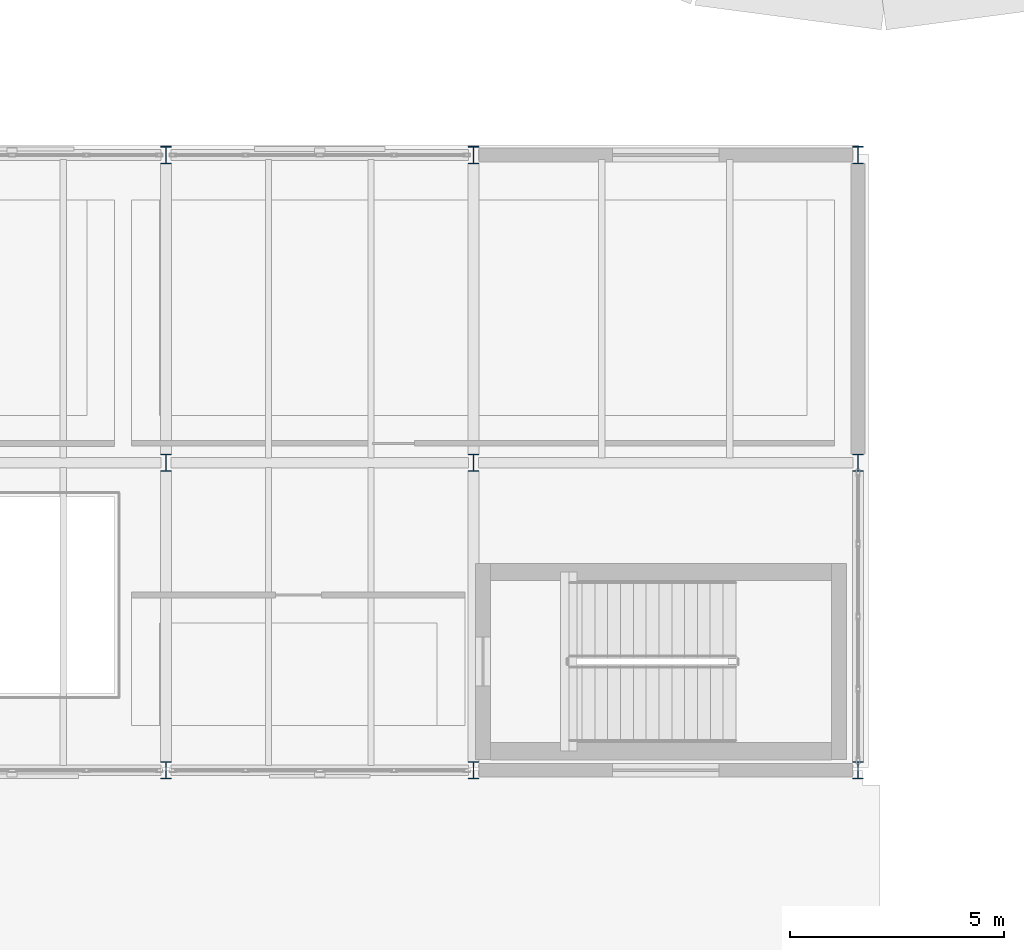
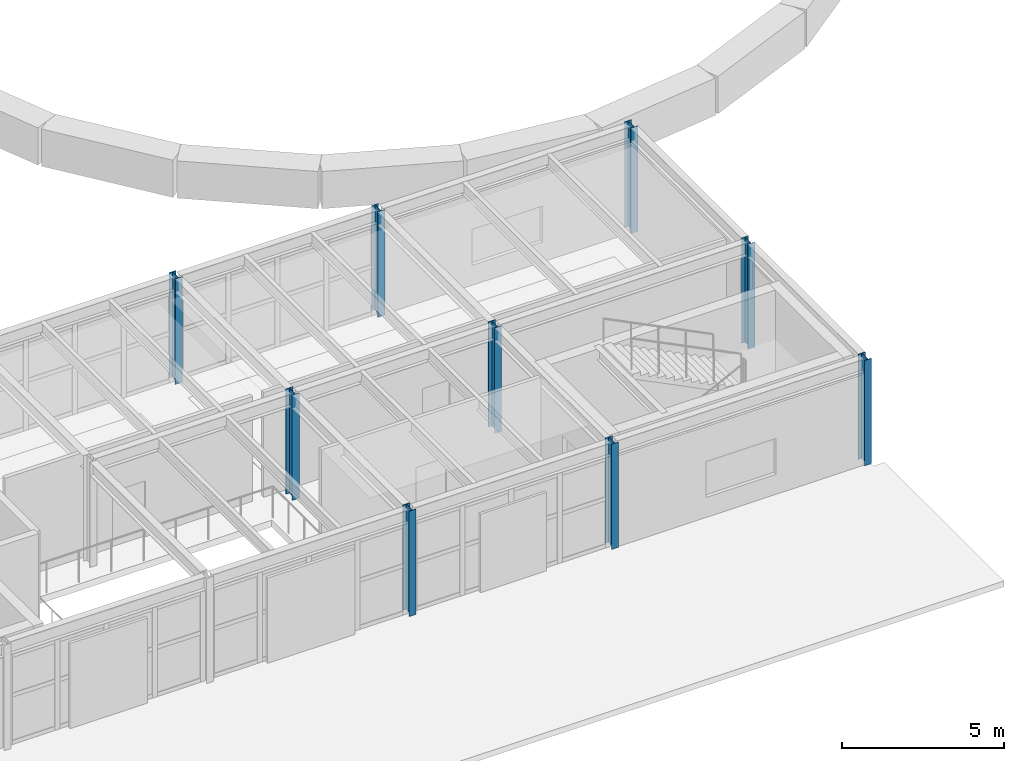
# One storey, part 5 of 37: 9 columns.
"""IFC4 building model written with IfcOpenShell, lengths in metres."""

from ifc_helpers import new_model, si_unit, direction, frame, origin, origin_2d, place, context, subcontext, project, spatial, i_section, extrude, material, material_profile, profile_set, type_object, element, save


model = new_model("IFC4")

# Units and contexts
model_context = context("Model", 3, precision=1e-05, world=origin(), true_north=direction((0.0, 1.0)))
body_context = subcontext(model_context, "Body", "Model", "MODEL_VIEW")
ifc_project = project(units=[si_unit("LENGTHUNIT", "METRE"), si_unit("AREAUNIT", "SQUARE_METRE"), si_unit("VOLUMEUNIT", "CUBIC_METRE"), si_unit("PLANEANGLEUNIT", "RADIAN"), si_unit("MASSUNIT", "GRAM", prefix="KILO")], contexts=[model_context])

# Site, building, storey
site_placement = place(None, origin())
site = spatial("IfcSite", under=ifc_project, at=site_placement, CompositionType="ELEMENT")
building_placement = place(site_placement, origin())
building = spatial("IfcBuilding", under=site, at=building_placement, Name="Kandorven Conservatory and Botanical Research Centre", CompositionType="ELEMENT")
storey_placement = place(building_placement, frame((0.0, 0.0, 9.0)))
storey = spatial("IfcBuildingStorey", under=building, at=storey_placement, Name="L02", CompositionType="ELEMENT", Elevation=9.0)

# Columns
ifc_material = material(Name="Steel S355 (IS 2062 E350)", Category="steel")
ifc_material_profile = material_profile(ifc_material, i_section(OverallWidth=0.25, OverallDepth=0.39990234375, WebThickness=0.010498046875, FlangeThickness=0.0126953125, at=origin_2d()))
ifc_profile_set = profile_set([ifc_material_profile], Name="Steel S355 (IS 2062 E350)")
column_type = type_object("IfcColumnType", Name="Col_SC-02", PredefinedType="COLUMN", material=ifc_profile_set)
for number, where, z_axis, x_axis, name in (
    (1, (70.800048828125, 13.199951171875, 0.0), (0.0, 0.0, 1.0), (1.0, 0.0, 0.0), "Column SC-02 VIS L02 (5,1)"),
    (2, (70.800048828125, 20.39990234375, 0.0), (0.0, 0.0, 1.0), (1.0, 0.0, 0.0), "Column SC-02 VIS L02 (5,2)"),
    (3, (70.800048828125, 27.60009765625, 0.0), (0.0, 0.0, 1.0), (1.0, 0.0, 0.0), "Column SC-02 VIS L02 (5,3)"),
    (4, (78.0, 13.199951171875, 0.0), (0.0, 0.0, 1.0), (1.0, 0.0, 0.0), "Column SC-02 VIS L02 (6,1)"),
    (5, (78.0, 20.39990234375, 0.0), (0.0, 0.0, 1.0), (1.0, 0.0, 0.0), "Column SC-02 VIS L02 (6,2)"),
    (6, (78.0, 27.60009765625, 0.0), (0.0, 0.0, 1.0), (1.0, 0.0, 0.0), "Column SC-02 VIS L02 (6,3)"),
    (7, (87.0, 13.199951171875, 0.0), (0.0, 0.0, 1.0), (1.0, 0.0, 0.0), "Column SC-02 VIS L02 (7,1)"),
    (8, (87.0, 20.39990234375, 0.0), (0.0, 0.0, 1.0), (1.0, 0.0, 0.0), "Column SC-02 VIS L02 (7,2)"),
    (9, (87.0, 27.60009765625, 0.0), (0.0, 0.0, 1.0), (1.0, 0.0, 0.0), "Column SC-02 VIS L02 (7,3)"),
):
    element("IfcColumn", number, at=place(storey_placement, frame(where, z_axis=z_axis, x_axis=x_axis)), inside=storey, type_object=column_type, Name=name, PredefinedType="COLUMN", context=body_context, shape_type="SweptSolid", body=[
        extrude(i_section(OverallWidth=0.25, OverallDepth=0.39990234375, WebThickness=0.010498046875, FlangeThickness=0.0126953125, at=origin_2d()), origin(), (0.0, 0.0, 1.0), 3.9599609375),
    ])

save(model, "model.ifc")
